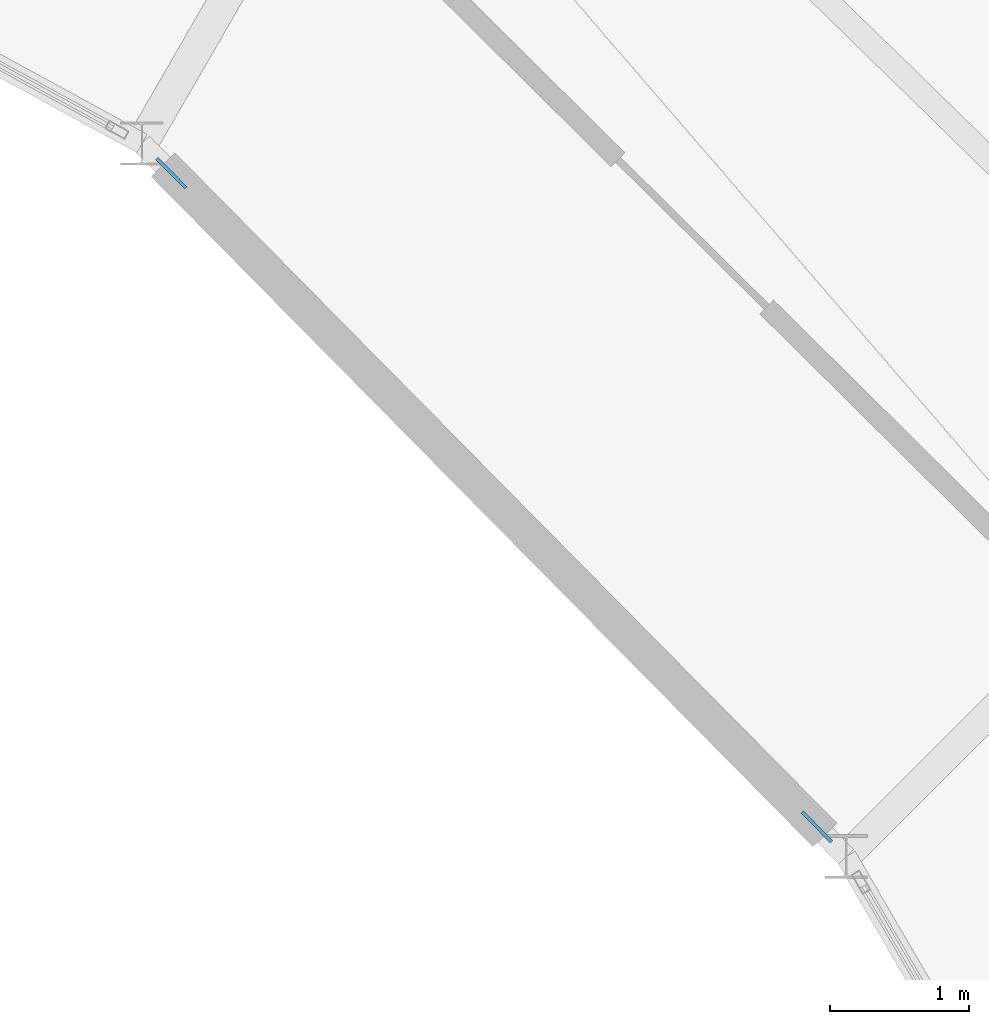
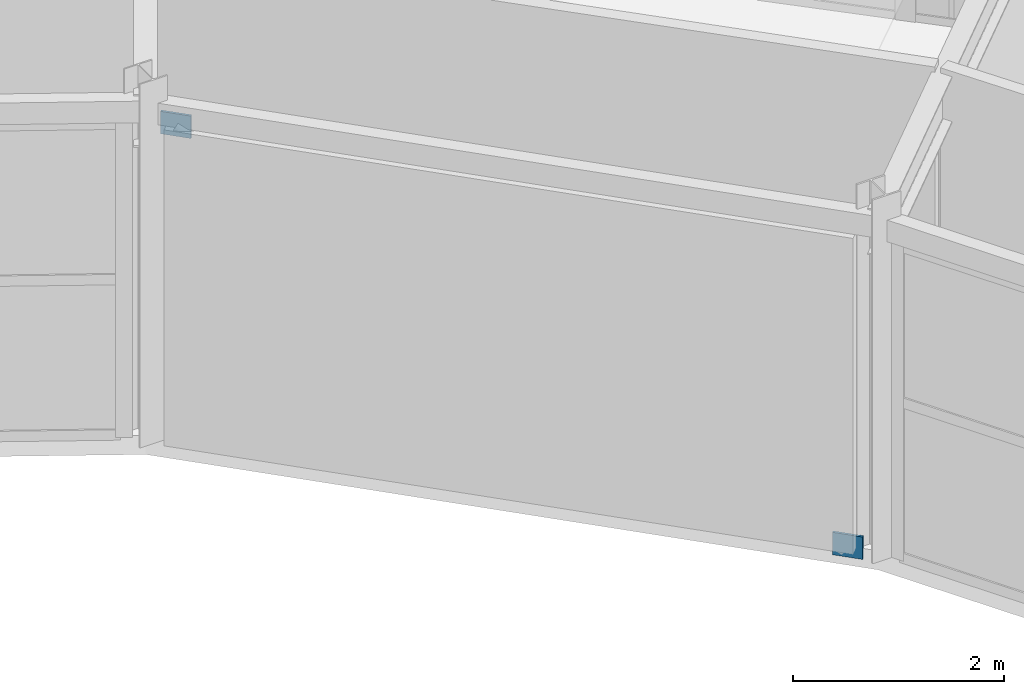
# One storey, part 120 of 147: 2 plates.
"""IFC4 building model written with IfcOpenShell, lengths in metres."""

from ifc_helpers import new_model, si_unit, direction, frame, origin, origin_2d, place, context, subcontext, project, spatial, rectangle, extrude, material, layer, layer_set, type_object, element, save


model = new_model("IFC4")

# Units and contexts
model_context = context("Model", 3, precision=1e-05, world=origin(), true_north=direction((0.0, 1.0)))
body_context = subcontext(model_context, "Body", "Model", "MODEL_VIEW")
ifc_project = project(units=[si_unit("LENGTHUNIT", "METRE"), si_unit("AREAUNIT", "SQUARE_METRE"), si_unit("VOLUMEUNIT", "CUBIC_METRE"), si_unit("PLANEANGLEUNIT", "RADIAN"), si_unit("MASSUNIT", "GRAM", prefix="KILO")], contexts=[model_context])

# Site, building, storey
site_placement = place(None, origin())
site = spatial("IfcSite", under=ifc_project, at=site_placement, CompositionType="ELEMENT")
building_placement = place(site_placement, origin())
building = spatial("IfcBuilding", under=site, at=building_placement, Name="Karori Crest Natural Sciences Institute", CompositionType="ELEMENT")
storey_placement = place(building_placement, frame((0.0, 0.0, 9.10009765625)))
storey = spatial("IfcBuildingStorey", under=building, at=storey_placement, Name="L02", CompositionType="ELEMENT", Elevation=9.10009765625)

# Plates
ifc_material = material(Name="Structural steel AS/NZS 3679.1 Grade 350", Category="steel")
ifc_layer = layer(ifc_material, 0.02490234375, Name="Structural steel AS/NZS 3679.1 Grade 350")
ifc_layer_set = layer_set([ifc_layer], Name="Structural steel AS/NZS 3679.1 Grade 350")
plate_type = type_object("IfcPlateType", Name="PLT-06", PredefinedType="SHEET", material=ifc_layer_set)
for number, where, z_axis, x_axis, name in (
    (1, (83.442626953125, 72.88232421875, -0.11962890625), (0.0, 0.0, 1.0), (-0.702663630174, 0.711522187167, 0.0), "Brace gusset plate EP-0025"),
    (2, (78.810791015625, 77.572509765625, 3.5205078125), (0.0, 0.0, 1.0), (-0.702663630174, 0.711522187167, 0.0), "Brace gusset plate EP-0026"),
):
    element("IfcPlate", number, at=place(storey_placement, frame(where, z_axis=z_axis, x_axis=x_axis)), inside=storey, type_object=plate_type, Name=name, PredefinedType="SHEET", context=body_context, shape_type="SweptSolid", body=[
        extrude(rectangle(XDim=0.299072265625, YDim=0.02490234375, at=origin_2d()), origin(), (0.0, 0.0, 1.0), 0.259033203125),
    ])

save(model, "model.ifc")
